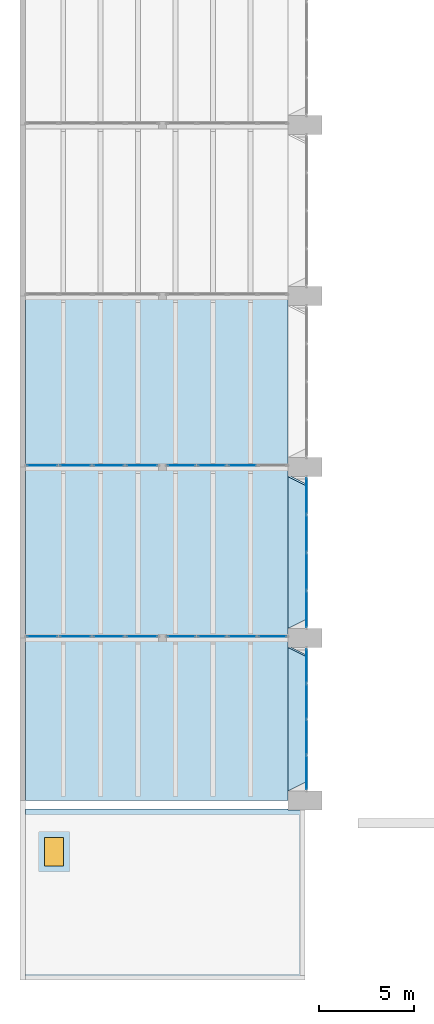
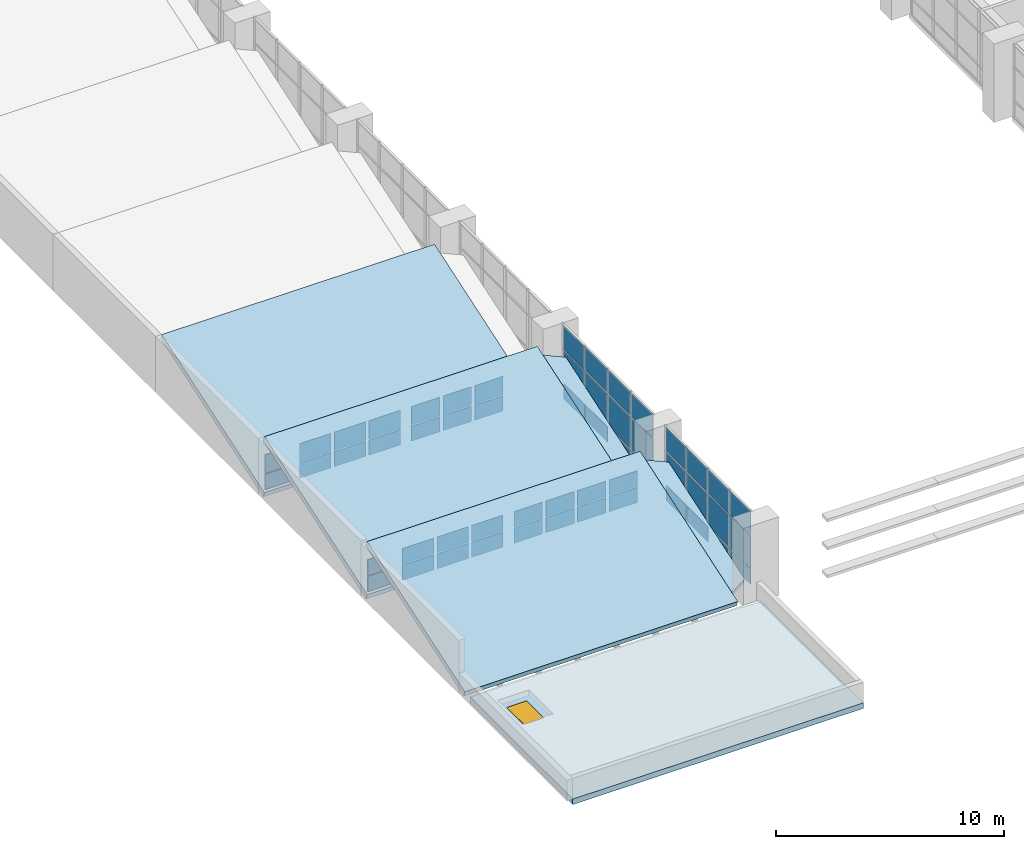
# One storey, part 22 of 43: 54 plates, 6 slabs, 1 door, 1 opening, 17 elements without a shape of their own.
"""IFC4 building model written with IfcOpenShell, lengths in metres."""

from ifc_helpers import new_model, si_unit, direction, frame, origin, origin_2d, place, context, subcontext, project, spatial, polyline, rectangle, outline, extrude, material, layer, layer_set, type_object, element, fill, aggregate, save


model = new_model("IFC4")

# Units and contexts
model_context = context("Model", 3, precision=1e-05, world=origin(), true_north=direction((0.0, 1.0)))
body_context = subcontext(model_context, "Body", "Model", "MODEL_VIEW")
ifc_project = project(units=[si_unit("LENGTHUNIT", "METRE"), si_unit("AREAUNIT", "SQUARE_METRE"), si_unit("VOLUMEUNIT", "CUBIC_METRE"), si_unit("PLANEANGLEUNIT", "RADIAN"), si_unit("MASSUNIT", "GRAM", prefix="KILO")], contexts=[model_context])

# Site, building, storey
site_placement = place(None, origin())
site = spatial("IfcSite", under=ifc_project, at=site_placement, CompositionType="ELEMENT")
building_placement = place(site_placement, origin())
building = spatial("IfcBuilding", under=site, at=building_placement, Name="Elmora Arch Market Hall", CompositionType="ELEMENT")
storey_placement = place(building_placement, frame((0.0, 0.0, 10.199951171875)))
storey = spatial("IfcBuildingStorey", under=building, at=storey_placement, Name="L02", CompositionType="ELEMENT", Elevation=10.199951171875)

# Curtain wall, plates
ifc_material_1 = material(Name="Aluminium", Category="aluminium")
curtain_wall_type_1 = type_object("IfcCurtainWallType", Name="Hall front curtain wall", PredefinedType="NOTDEFINED", material=ifc_material_1)
curtain_wall_1_placement = place(storey_placement, origin())
curtain_wall_1 = element("IfcCurtainWall", 1, at=curtain_wall_1_placement, inside=storey, type_object=curtain_wall_type_1, Name="Hall west glazing L02 1", PredefinedType="NOTDEFINED")
ifc_material_2 = material(Name="Glass", Category="glass")
ifc_layer_1 = layer(ifc_material_2, 0.028076171875)
ifc_layer_set_1 = layer_set([ifc_layer_1], Name="Glass")
plate_type = type_object("IfcPlateType", Name="Glass panel 28", PredefinedType="CURTAIN_PANEL", material=ifc_layer_set_1)
plate_1_placement = place(storey_placement, frame((15.090087890625, 28.913818359375, 0.226806640625), z_axis=(0.0, 0.0, 1.0), x_axis=(0.0, 1.0, 0.0)))
plate_1 = element("IfcPlate", 2, at=plate_1_placement, type_object=plate_type, Name="CW2 panel 1.1", PredefinedType="CURTAIN_PANEL", context=body_context, shape_type="SweptSolid", body=[
    extrude(rectangle(XDim=1.767578125, YDim=0.028076171875, at=origin_2d()), origin(), (0.0, 0.0, 1.0), 0.81005859375),
])
plate_2_placement = place(storey_placement, frame((15.090087890625, 28.913818359375, 1.0966796875), z_axis=(0.0, 0.0, 1.0), x_axis=(0.0, 1.0, 0.0)))
plate_2 = element("IfcPlate", 3, at=plate_2_placement, type_object=plate_type, Name="CW2 panel 1.2", PredefinedType="CURTAIN_PANEL", context=body_context, shape_type="SweptSolid", body=[
    extrude(rectangle(XDim=1.767578125, YDim=0.028076171875, at=origin_2d()), origin(), (0.0, 0.0, 1.0), 1.739990234375),
])
plate_3_placement = place(storey_placement, frame((15.090087890625, 28.913818359375, 2.896484375), z_axis=(0.0, 0.0, 1.0), x_axis=(0.0, 1.0, 0.0)))
plate_3 = element("IfcPlate", 4, at=plate_3_placement, type_object=plate_type, Name="CW2 panel 1.3", PredefinedType="CURTAIN_PANEL", context=body_context, shape_type="SweptSolid", body=[
    extrude(rectangle(XDim=1.767578125, YDim=0.028076171875, at=origin_2d()), origin(), (0.0, 0.0, 1.0), 1.243408203125),
])
plate_4_placement = place(storey_placement, frame((15.090087890625, 30.78125, 0.226806640625), z_axis=(0.0, 0.0, 1.0), x_axis=(0.0, 1.0, 0.0)))
plate_4 = element("IfcPlate", 5, at=plate_4_placement, type_object=plate_type, Name="CW2 panel 2.1", PredefinedType="CURTAIN_PANEL", context=body_context, shape_type="SweptSolid", body=[
    extrude(rectangle(XDim=1.8076171875, YDim=0.028076171875, at=origin_2d()), origin(), (0.0, 0.0, 1.0), 0.81005859375),
])
plate_5_placement = place(storey_placement, frame((15.090087890625, 30.78125, 1.0966796875), z_axis=(0.0, 0.0, 1.0), x_axis=(0.0, 1.0, 0.0)))
plate_5 = element("IfcPlate", 6, at=plate_5_placement, type_object=plate_type, Name="CW2 panel 2.2", PredefinedType="CURTAIN_PANEL", context=body_context, shape_type="SweptSolid", body=[
    extrude(rectangle(XDim=1.8076171875, YDim=0.028076171875, at=origin_2d()), origin(), (0.0, 0.0, 1.0), 1.739990234375),
])
plate_6_placement = place(storey_placement, frame((15.090087890625, 30.78125, 2.896484375), z_axis=(0.0, 0.0, 1.0), x_axis=(0.0, 1.0, 0.0)))
plate_6 = element("IfcPlate", 7, at=plate_6_placement, type_object=plate_type, Name="CW2 panel 2.3", PredefinedType="CURTAIN_PANEL", context=body_context, shape_type="SweptSolid", body=[
    extrude(rectangle(XDim=1.8076171875, YDim=0.028076171875, at=origin_2d()), origin(), (0.0, 0.0, 1.0), 1.243408203125),
])
plate_7_placement = place(storey_placement, frame((15.090087890625, 32.668701171875, 0.226806640625), z_axis=(0.0, 0.0, 1.0), x_axis=(0.0, 1.0, 0.0)))
plate_7 = element("IfcPlate", 8, at=plate_7_placement, type_object=plate_type, Name="CW2 panel 3.1", PredefinedType="CURTAIN_PANEL", context=body_context, shape_type="SweptSolid", body=[
    extrude(rectangle(XDim=1.8076171875, YDim=0.028076171875, at=origin_2d()), origin(), (0.0, 0.0, 1.0), 0.81005859375),
])
plate_8_placement = place(storey_placement, frame((15.090087890625, 32.668701171875, 1.0966796875), z_axis=(0.0, 0.0, 1.0), x_axis=(0.0, 1.0, 0.0)))
plate_8 = element("IfcPlate", 9, at=plate_8_placement, type_object=plate_type, Name="CW2 panel 3.2", PredefinedType="CURTAIN_PANEL", context=body_context, shape_type="SweptSolid", body=[
    extrude(rectangle(XDim=1.8076171875, YDim=0.028076171875, at=origin_2d()), origin(), (0.0, 0.0, 1.0), 1.739990234375),
])
plate_9_placement = place(storey_placement, frame((15.090087890625, 32.668701171875, 2.896484375), z_axis=(0.0, 0.0, 1.0), x_axis=(0.0, 1.0, 0.0)))
plate_9 = element("IfcPlate", 10, at=plate_9_placement, type_object=plate_type, Name="CW2 panel 3.3", PredefinedType="CURTAIN_PANEL", context=body_context, shape_type="SweptSolid", body=[
    extrude(rectangle(XDim=1.8076171875, YDim=0.028076171875, at=origin_2d()), origin(), (0.0, 0.0, 1.0), 1.243408203125),
])
plate_10_placement = place(storey_placement, frame((15.090087890625, 34.5361328125, 0.226806640625), z_axis=(0.0, 0.0, 1.0), x_axis=(0.0, 1.0, 0.0)))
plate_10 = element("IfcPlate", 11, at=plate_10_placement, type_object=plate_type, Name="CW2 panel 4.1", PredefinedType="CURTAIN_PANEL", context=body_context, shape_type="SweptSolid", body=[
    extrude(rectangle(XDim=1.767578125, YDim=0.028076171875, at=origin_2d()), origin(), (0.0, 0.0, 1.0), 0.81005859375),
])
plate_11_placement = place(storey_placement, frame((15.090087890625, 34.5361328125, 1.0966796875), z_axis=(0.0, 0.0, 1.0), x_axis=(0.0, 1.0, 0.0)))
plate_11 = element("IfcPlate", 12, at=plate_11_placement, type_object=plate_type, Name="CW2 panel 4.2", PredefinedType="CURTAIN_PANEL", context=body_context, shape_type="SweptSolid", body=[
    extrude(rectangle(XDim=1.767578125, YDim=0.028076171875, at=origin_2d()), origin(), (0.0, 0.0, 1.0), 1.739990234375),
])
plate_12_placement = place(storey_placement, frame((15.090087890625, 34.5361328125, 2.896484375), z_axis=(0.0, 0.0, 1.0), x_axis=(0.0, 1.0, 0.0)))
plate_12 = element("IfcPlate", 13, at=plate_12_placement, type_object=plate_type, Name="CW2 panel 4.3", PredefinedType="CURTAIN_PANEL", context=body_context, shape_type="SweptSolid", body=[
    extrude(rectangle(XDim=1.767578125, YDim=0.028076171875, at=origin_2d()), origin(), (0.0, 0.0, 1.0), 1.243408203125),
])
aggregate(curtain_wall_1, [plate_1, plate_2, plate_3, plate_4, plate_5, plate_6, plate_7, plate_8, plate_9, plate_10, plate_11, plate_12])

curtain_wall_2_placement = place(storey_placement, origin())
curtain_wall_2 = element("IfcCurtainWall", 14, at=curtain_wall_2_placement, inside=storey, type_object=curtain_wall_type_1, Name="Hall west glazing L02 2", PredefinedType="NOTDEFINED")
plate_13_placement = place(storey_placement, frame((15.090087890625, 37.52001953125, 0.226806640625), z_axis=(0.0, 0.0, 1.0), x_axis=(0.0, 1.0, 0.0)))
plate_13 = element("IfcPlate", 15, at=plate_13_placement, type_object=plate_type, Name="CW2 panel 1.1", PredefinedType="CURTAIN_PANEL", context=body_context, shape_type="SweptSolid", body=[
    extrude(rectangle(XDim=1.8798828125, YDim=0.028076171875, at=origin_2d()), origin(), (0.0, 0.0, 1.0), 0.81005859375),
])
plate_14_placement = place(storey_placement, frame((15.090087890625, 37.52001953125, 1.0966796875), z_axis=(0.0, 0.0, 1.0), x_axis=(0.0, 1.0, 0.0)))
plate_14 = element("IfcPlate", 16, at=plate_14_placement, type_object=plate_type, Name="CW2 panel 1.2", PredefinedType="CURTAIN_PANEL", context=body_context, shape_type="SweptSolid", body=[
    extrude(rectangle(XDim=1.8798828125, YDim=0.028076171875, at=origin_2d()), origin(), (0.0, 0.0, 1.0), 1.739990234375),
])
plate_15_placement = place(storey_placement, frame((15.090087890625, 37.52001953125, 2.896484375), z_axis=(0.0, 0.0, 1.0), x_axis=(0.0, 1.0, 0.0)))
plate_15 = element("IfcPlate", 17, at=plate_15_placement, type_object=plate_type, Name="CW2 panel 1.3", PredefinedType="CURTAIN_PANEL", context=body_context, shape_type="SweptSolid", body=[
    extrude(rectangle(XDim=1.8798828125, YDim=0.028076171875, at=origin_2d()), origin(), (0.0, 0.0, 1.0), 1.243408203125),
])
plate_16_placement = place(storey_placement, frame((15.090087890625, 39.5, 0.226806640625), z_axis=(0.0, 0.0, 1.0), x_axis=(0.0, 1.0, 0.0)))
plate_16 = element("IfcPlate", 18, at=plate_16_placement, type_object=plate_type, Name="CW2 panel 2.1", PredefinedType="CURTAIN_PANEL", context=body_context, shape_type="SweptSolid", body=[
    extrude(rectangle(XDim=1.919921875, YDim=0.028076171875, at=origin_2d()), origin(), (0.0, 0.0, 1.0), 0.81005859375),
])
plate_17_placement = place(storey_placement, frame((15.090087890625, 39.5, 1.0966796875), z_axis=(0.0, 0.0, 1.0), x_axis=(0.0, 1.0, 0.0)))
plate_17 = element("IfcPlate", 19, at=plate_17_placement, type_object=plate_type, Name="CW2 panel 2.2", PredefinedType="CURTAIN_PANEL", context=body_context, shape_type="SweptSolid", body=[
    extrude(rectangle(XDim=1.919921875, YDim=0.028076171875, at=origin_2d()), origin(), (0.0, 0.0, 1.0), 1.739990234375),
])
plate_18_placement = place(storey_placement, frame((15.090087890625, 39.5, 2.896484375), z_axis=(0.0, 0.0, 1.0), x_axis=(0.0, 1.0, 0.0)))
plate_18 = element("IfcPlate", 20, at=plate_18_placement, type_object=plate_type, Name="CW2 panel 2.3", PredefinedType="CURTAIN_PANEL", context=body_context, shape_type="SweptSolid", body=[
    extrude(rectangle(XDim=1.919921875, YDim=0.028076171875, at=origin_2d()), origin(), (0.0, 0.0, 1.0), 1.243408203125),
])
plate_19_placement = place(storey_placement, frame((15.090087890625, 41.5, 0.226806640625), z_axis=(0.0, 0.0, 1.0), x_axis=(0.0, 1.0, 0.0)))
plate_19 = element("IfcPlate", 21, at=plate_19_placement, type_object=plate_type, Name="CW2 panel 3.1", PredefinedType="CURTAIN_PANEL", context=body_context, shape_type="SweptSolid", body=[
    extrude(rectangle(XDim=1.919921875, YDim=0.028076171875, at=origin_2d()), origin(), (0.0, 0.0, 1.0), 0.81005859375),
])
plate_20_placement = place(storey_placement, frame((15.090087890625, 41.5, 1.0966796875), z_axis=(0.0, 0.0, 1.0), x_axis=(0.0, 1.0, 0.0)))
plate_20 = element("IfcPlate", 22, at=plate_20_placement, type_object=plate_type, Name="CW2 panel 3.2", PredefinedType="CURTAIN_PANEL", context=body_context, shape_type="SweptSolid", body=[
    extrude(rectangle(XDim=1.919921875, YDim=0.028076171875, at=origin_2d()), origin(), (0.0, 0.0, 1.0), 1.739990234375),
])
plate_21_placement = place(storey_placement, frame((15.090087890625, 41.5, 2.896484375), z_axis=(0.0, 0.0, 1.0), x_axis=(0.0, 1.0, 0.0)))
plate_21 = element("IfcPlate", 23, at=plate_21_placement, type_object=plate_type, Name="CW2 panel 3.3", PredefinedType="CURTAIN_PANEL", context=body_context, shape_type="SweptSolid", body=[
    extrude(rectangle(XDim=1.919921875, YDim=0.028076171875, at=origin_2d()), origin(), (0.0, 0.0, 1.0), 1.243408203125),
])
plate_22_placement = place(storey_placement, frame((15.090087890625, 43.47998046875, 0.226806640625), z_axis=(0.0, 0.0, 1.0), x_axis=(0.0, 1.0, 0.0)))
plate_22 = element("IfcPlate", 24, at=plate_22_placement, type_object=plate_type, Name="CW2 panel 4.1", PredefinedType="CURTAIN_PANEL", context=body_context, shape_type="SweptSolid", body=[
    extrude(rectangle(XDim=1.8798828125, YDim=0.028076171875, at=origin_2d()), origin(), (0.0, 0.0, 1.0), 0.81005859375),
])
plate_23_placement = place(storey_placement, frame((15.090087890625, 43.47998046875, 1.0966796875), z_axis=(0.0, 0.0, 1.0), x_axis=(0.0, 1.0, 0.0)))
plate_23 = element("IfcPlate", 25, at=plate_23_placement, type_object=plate_type, Name="CW2 panel 4.2", PredefinedType="CURTAIN_PANEL", context=body_context, shape_type="SweptSolid", body=[
    extrude(rectangle(XDim=1.8798828125, YDim=0.028076171875, at=origin_2d()), origin(), (0.0, 0.0, 1.0), 1.739990234375),
])
plate_24_placement = place(storey_placement, frame((15.090087890625, 43.47998046875, 2.896484375), z_axis=(0.0, 0.0, 1.0), x_axis=(0.0, 1.0, 0.0)))
plate_24 = element("IfcPlate", 26, at=plate_24_placement, type_object=plate_type, Name="CW2 panel 4.3", PredefinedType="CURTAIN_PANEL", context=body_context, shape_type="SweptSolid", body=[
    extrude(rectangle(XDim=1.8798828125, YDim=0.028076171875, at=origin_2d()), origin(), (0.0, 0.0, 1.0), 1.243408203125),
])
aggregate(curtain_wall_2, [plate_13, plate_14, plate_15, plate_16, plate_17, plate_18, plate_19, plate_20, plate_21, plate_22, plate_23, plate_24])

ifc_material_3 = material(Name="Aluminium", Category="aluminium")
curtain_wall_type_2 = type_object("IfcCurtainWallType", Name="Sawtooth glazing curtain wall", PredefinedType="NOTDEFINED", material=ifc_material_3)
curtain_wall_3_placement = place(storey_placement, origin())
curtain_wall_3 = element("IfcCurtainWall", 27, at=curtain_wall_3_placement, inside=storey, type_object=curtain_wall_type_2, Name="Sawtooth riser 1 part 1.1", PredefinedType="NOTDEFINED")
plate_25_placement = place(storey_placement, frame((1.175048828125, 36.090087890625, 0.090087890625), z_axis=(0.0, 0.0, 1.0), x_axis=(1.0, 0.0, 0.0)))
plate_25 = element("IfcPlate", 28, at=plate_25_placement, type_object=plate_type, Name="CW7 panel 1.1", PredefinedType="CURTAIN_PANEL", context=body_context, shape_type="SweptSolid", body=[
    extrude(rectangle(XDim=1.590087890625, YDim=0.028076171875, at=origin_2d()), origin(), (0.0, 0.0, 1.0), 0.81005859375),
])
plate_26_placement = place(storey_placement, frame((1.175048828125, 36.090087890625, 0.9599609375), z_axis=(0.0, 0.0, 1.0), x_axis=(1.0, 0.0, 0.0)))
plate_26 = element("IfcPlate", 29, at=plate_26_placement, type_object=plate_type, Name="CW7 panel 1.2", PredefinedType="CURTAIN_PANEL", context=body_context, shape_type="SweptSolid", body=[
    extrude(rectangle(XDim=1.590087890625, YDim=0.028076171875, at=origin_2d()), origin(), (0.0, 0.0, 1.0), 0.830078125),
])
aggregate(curtain_wall_3, [plate_25, plate_26])

curtain_wall_4_placement = place(storey_placement, origin())
curtain_wall_4 = element("IfcCurtainWall", 30, at=curtain_wall_4_placement, inside=storey, type_object=curtain_wall_type_2, Name="Sawtooth riser 1 part 1.2", PredefinedType="NOTDEFINED")
plate_27_placement = place(storey_placement, frame((2.925048828125, 36.090087890625, 0.090087890625), z_axis=(0.0, 0.0, 1.0), x_axis=(1.0, 0.0, 0.0)))
plate_27 = element("IfcPlate", 31, at=plate_27_placement, type_object=plate_type, Name="CW7 panel 1.1", PredefinedType="CURTAIN_PANEL", context=body_context, shape_type="SweptSolid", body=[
    extrude(rectangle(XDim=1.590087890625, YDim=0.028076171875, at=origin_2d()), origin(), (0.0, 0.0, 1.0), 0.81005859375),
])
plate_28_placement = place(storey_placement, frame((2.925048828125, 36.090087890625, 0.9599609375), z_axis=(0.0, 0.0, 1.0), x_axis=(1.0, 0.0, 0.0)))
plate_28 = element("IfcPlate", 32, at=plate_28_placement, type_object=plate_type, Name="CW7 panel 1.2", PredefinedType="CURTAIN_PANEL", context=body_context, shape_type="SweptSolid", body=[
    extrude(rectangle(XDim=1.590087890625, YDim=0.028076171875, at=origin_2d()), origin(), (0.0, 0.0, 1.0), 0.830078125),
])
aggregate(curtain_wall_4, [plate_27, plate_28])

curtain_wall_5_placement = place(storey_placement, origin())
curtain_wall_5 = element("IfcCurtainWall", 33, at=curtain_wall_5_placement, inside=storey, type_object=curtain_wall_type_2, Name="Sawtooth riser 1 part 1.3", PredefinedType="NOTDEFINED")
plate_29_placement = place(storey_placement, frame((4.675048828125, 36.090087890625, 0.090087890625), z_axis=(0.0, 0.0, 1.0), x_axis=(1.0, 0.0, 0.0)))
plate_29 = element("IfcPlate", 34, at=plate_29_placement, type_object=plate_type, Name="CW7 panel 1.1", PredefinedType="CURTAIN_PANEL", context=body_context, shape_type="SweptSolid", body=[
    extrude(rectangle(XDim=1.590087890625, YDim=0.028076171875, at=origin_2d()), origin(), (0.0, 0.0, 1.0), 0.81005859375),
])
plate_30_placement = place(storey_placement, frame((4.675048828125, 36.090087890625, 0.9599609375), z_axis=(0.0, 0.0, 1.0), x_axis=(1.0, 0.0, 0.0)))
plate_30 = element("IfcPlate", 35, at=plate_30_placement, type_object=plate_type, Name="CW7 panel 1.2", PredefinedType="CURTAIN_PANEL", context=body_context, shape_type="SweptSolid", body=[
    extrude(rectangle(XDim=1.590087890625, YDim=0.028076171875, at=origin_2d()), origin(), (0.0, 0.0, 1.0), 0.830078125),
])
aggregate(curtain_wall_5, [plate_29, plate_30])

curtain_wall_6_placement = place(storey_placement, origin())
curtain_wall_6 = element("IfcCurtainWall", 36, at=curtain_wall_6_placement, inside=storey, type_object=curtain_wall_type_2, Name="Sawtooth riser 1 part 1.4", PredefinedType="NOTDEFINED")
plate_31_placement = place(storey_placement, frame((6.425048828125, 36.090087890625, 0.090087890625), z_axis=(0.0, 0.0, 1.0), x_axis=(1.0, 0.0, 0.0)))
plate_31 = element("IfcPlate", 37, at=plate_31_placement, type_object=plate_type, Name="CW7 panel 1.1", PredefinedType="CURTAIN_PANEL", context=body_context, shape_type="SweptSolid", body=[
    extrude(rectangle(XDim=1.590087890625, YDim=0.028076171875, at=origin_2d()), origin(), (0.0, 0.0, 1.0), 0.81005859375),
])
plate_32_placement = place(storey_placement, frame((6.425048828125, 36.090087890625, 0.9599609375), z_axis=(0.0, 0.0, 1.0), x_axis=(1.0, 0.0, 0.0)))
plate_32 = element("IfcPlate", 38, at=plate_32_placement, type_object=plate_type, Name="CW7 panel 1.2", PredefinedType="CURTAIN_PANEL", context=body_context, shape_type="SweptSolid", body=[
    extrude(rectangle(XDim=1.590087890625, YDim=0.028076171875, at=origin_2d()), origin(), (0.0, 0.0, 1.0), 0.830078125),
])
aggregate(curtain_wall_6, [plate_31, plate_32])

curtain_wall_7_placement = place(storey_placement, origin())
curtain_wall_7 = element("IfcCurtainWall", 39, at=curtain_wall_7_placement, inside=storey, type_object=curtain_wall_type_2, Name="Sawtooth riser 1 part 2.1", PredefinedType="NOTDEFINED")
plate_33_placement = place(storey_placement, frame((8.5, 36.090087890625, 0.090087890625), z_axis=(0.0, 0.0, 1.0), x_axis=(1.0, 0.0, 0.0)))
plate_33 = element("IfcPlate", 40, at=plate_33_placement, type_object=plate_type, Name="CW7 panel 1.1", PredefinedType="CURTAIN_PANEL", context=body_context, shape_type="SweptSolid", body=[
    extrude(rectangle(XDim=1.43994140625, YDim=0.028076171875, at=origin_2d()), origin(), (0.0, 0.0, 1.0), 0.81005859375),
])
plate_34_placement = place(storey_placement, frame((8.5, 36.090087890625, 0.9599609375), z_axis=(0.0, 0.0, 1.0), x_axis=(1.0, 0.0, 0.0)))
plate_34 = element("IfcPlate", 41, at=plate_34_placement, type_object=plate_type, Name="CW7 panel 1.2", PredefinedType="CURTAIN_PANEL", context=body_context, shape_type="SweptSolid", body=[
    extrude(rectangle(XDim=1.43994140625, YDim=0.028076171875, at=origin_2d()), origin(), (0.0, 0.0, 1.0), 0.830078125),
])
aggregate(curtain_wall_7, [plate_33, plate_34])

curtain_wall_8_placement = place(storey_placement, origin())
curtain_wall_8 = element("IfcCurtainWall", 42, at=curtain_wall_8_placement, inside=storey, type_object=curtain_wall_type_2, Name="Sawtooth riser 1 part 2.2", PredefinedType="NOTDEFINED")
plate_35_placement = place(storey_placement, frame((10.10009765625, 36.090087890625, 0.090087890625), z_axis=(0.0, 0.0, 1.0), x_axis=(1.0, 0.0, 0.0)))
plate_35 = element("IfcPlate", 43, at=plate_35_placement, type_object=plate_type, Name="CW7 panel 1.1", PredefinedType="CURTAIN_PANEL", context=body_context, shape_type="SweptSolid", body=[
    extrude(rectangle(XDim=1.43994140625, YDim=0.028076171875, at=origin_2d()), origin(), (0.0, 0.0, 1.0), 0.81005859375),
])
plate_36_placement = place(storey_placement, frame((10.10009765625, 36.090087890625, 0.9599609375), z_axis=(0.0, 0.0, 1.0), x_axis=(1.0, 0.0, 0.0)))
plate_36 = element("IfcPlate", 44, at=plate_36_placement, type_object=plate_type, Name="CW7 panel 1.2", PredefinedType="CURTAIN_PANEL", context=body_context, shape_type="SweptSolid", body=[
    extrude(rectangle(XDim=1.43994140625, YDim=0.028076171875, at=origin_2d()), origin(), (0.0, 0.0, 1.0), 0.830078125),
])
aggregate(curtain_wall_8, [plate_35, plate_36])

curtain_wall_9_placement = place(storey_placement, origin())
curtain_wall_9 = element("IfcCurtainWall", 45, at=curtain_wall_9_placement, inside=storey, type_object=curtain_wall_type_2, Name="Sawtooth riser 1 part 2.3", PredefinedType="NOTDEFINED")
plate_37_placement = place(storey_placement, frame((11.699951171875, 36.090087890625, 0.090087890625), z_axis=(0.0, 0.0, 1.0), x_axis=(1.0, 0.0, 0.0)))
plate_37 = element("IfcPlate", 46, at=plate_37_placement, type_object=plate_type, Name="CW7 panel 1.1", PredefinedType="CURTAIN_PANEL", context=body_context, shape_type="SweptSolid", body=[
    extrude(rectangle(XDim=1.43994140625, YDim=0.028076171875, at=origin_2d()), origin(), (0.0, 0.0, 1.0), 0.81005859375),
])
plate_38_placement = place(storey_placement, frame((11.699951171875, 36.090087890625, 0.9599609375), z_axis=(0.0, 0.0, 1.0), x_axis=(1.0, 0.0, 0.0)))
plate_38 = element("IfcPlate", 47, at=plate_38_placement, type_object=plate_type, Name="CW7 panel 1.2", PredefinedType="CURTAIN_PANEL", context=body_context, shape_type="SweptSolid", body=[
    extrude(rectangle(XDim=1.43994140625, YDim=0.028076171875, at=origin_2d()), origin(), (0.0, 0.0, 1.0), 0.830078125),
])
aggregate(curtain_wall_9, [plate_37, plate_38])

curtain_wall_10_placement = place(storey_placement, origin())
curtain_wall_10 = element("IfcCurtainWall", 48, at=curtain_wall_10_placement, inside=storey, type_object=curtain_wall_type_2, Name="Sawtooth riser 1 part 2.4", PredefinedType="NOTDEFINED")
plate_39_placement = place(storey_placement, frame((13.300048828125, 36.090087890625, 0.090087890625), z_axis=(0.0, 0.0, 1.0), x_axis=(1.0, 0.0, 0.0)))
plate_39 = element("IfcPlate", 49, at=plate_39_placement, type_object=plate_type, Name="CW7 panel 1.1", PredefinedType="CURTAIN_PANEL", context=body_context, shape_type="SweptSolid", body=[
    extrude(rectangle(XDim=1.43994140625, YDim=0.028076171875, at=origin_2d()), origin(), (0.0, 0.0, 1.0), 0.81005859375),
])
plate_40_placement = place(storey_placement, frame((13.300048828125, 36.090087890625, 0.9599609375), z_axis=(0.0, 0.0, 1.0), x_axis=(1.0, 0.0, 0.0)))
plate_40 = element("IfcPlate", 50, at=plate_40_placement, type_object=plate_type, Name="CW7 panel 1.2", PredefinedType="CURTAIN_PANEL", context=body_context, shape_type="SweptSolid", body=[
    extrude(rectangle(XDim=1.43994140625, YDim=0.028076171875, at=origin_2d()), origin(), (0.0, 0.0, 1.0), 0.830078125),
])
aggregate(curtain_wall_10, [plate_39, plate_40])

curtain_wall_11_placement = place(storey_placement, origin())
curtain_wall_11 = element("IfcCurtainWall", 51, at=curtain_wall_11_placement, inside=storey, type_object=curtain_wall_type_2, Name="Sawtooth riser 2 part 1.1", PredefinedType="NOTDEFINED")
plate_41_placement = place(storey_placement, frame((1.175048828125, 45.090087890625, 0.090087890625), z_axis=(0.0, 0.0, 1.0), x_axis=(1.0, 0.0, 0.0)))
plate_41 = element("IfcPlate", 52, at=plate_41_placement, type_object=plate_type, Name="CW7 panel 1.1", PredefinedType="CURTAIN_PANEL", context=body_context, shape_type="SweptSolid", body=[
    extrude(rectangle(XDim=1.590087890625, YDim=0.028076171875, at=origin_2d()), origin(), (0.0, 0.0, 1.0), 0.81005859375),
])
plate_42_placement = place(storey_placement, frame((1.175048828125, 45.090087890625, 0.9599609375), z_axis=(0.0, 0.0, 1.0), x_axis=(1.0, 0.0, 0.0)))
plate_42 = element("IfcPlate", 53, at=plate_42_placement, type_object=plate_type, Name="CW7 panel 1.2", PredefinedType="CURTAIN_PANEL", context=body_context, shape_type="SweptSolid", body=[
    extrude(rectangle(XDim=1.590087890625, YDim=0.028076171875, at=origin_2d()), origin(), (0.0, 0.0, 1.0), 0.97998046875),
])
aggregate(curtain_wall_11, [plate_41, plate_42])

curtain_wall_12_placement = place(storey_placement, origin())
curtain_wall_12 = element("IfcCurtainWall", 54, at=curtain_wall_12_placement, inside=storey, type_object=curtain_wall_type_2, Name="Sawtooth riser 2 part 1.2", PredefinedType="NOTDEFINED")
plate_43_placement = place(storey_placement, frame((2.925048828125, 45.090087890625, 0.090087890625), z_axis=(0.0, 0.0, 1.0), x_axis=(1.0, 0.0, 0.0)))
plate_43 = element("IfcPlate", 55, at=plate_43_placement, type_object=plate_type, Name="CW7 panel 1.1", PredefinedType="CURTAIN_PANEL", context=body_context, shape_type="SweptSolid", body=[
    extrude(rectangle(XDim=1.590087890625, YDim=0.028076171875, at=origin_2d()), origin(), (0.0, 0.0, 1.0), 0.81005859375),
])
plate_44_placement = place(storey_placement, frame((2.925048828125, 45.090087890625, 0.9599609375), z_axis=(0.0, 0.0, 1.0), x_axis=(1.0, 0.0, 0.0)))
plate_44 = element("IfcPlate", 56, at=plate_44_placement, type_object=plate_type, Name="CW7 panel 1.2", PredefinedType="CURTAIN_PANEL", context=body_context, shape_type="SweptSolid", body=[
    extrude(rectangle(XDim=1.590087890625, YDim=0.028076171875, at=origin_2d()), origin(), (0.0, 0.0, 1.0), 0.97998046875),
])
aggregate(curtain_wall_12, [plate_43, plate_44])

curtain_wall_13_placement = place(storey_placement, origin())
curtain_wall_13 = element("IfcCurtainWall", 57, at=curtain_wall_13_placement, inside=storey, type_object=curtain_wall_type_2, Name="Sawtooth riser 2 part 1.3", PredefinedType="NOTDEFINED")
plate_45_placement = place(storey_placement, frame((4.675048828125, 45.090087890625, 0.090087890625), z_axis=(0.0, 0.0, 1.0), x_axis=(1.0, 0.0, 0.0)))
plate_45 = element("IfcPlate", 58, at=plate_45_placement, type_object=plate_type, Name="CW7 panel 1.1", PredefinedType="CURTAIN_PANEL", context=body_context, shape_type="SweptSolid", body=[
    extrude(rectangle(XDim=1.590087890625, YDim=0.028076171875, at=origin_2d()), origin(), (0.0, 0.0, 1.0), 0.81005859375),
])
plate_46_placement = place(storey_placement, frame((4.675048828125, 45.090087890625, 0.9599609375), z_axis=(0.0, 0.0, 1.0), x_axis=(1.0, 0.0, 0.0)))
plate_46 = element("IfcPlate", 59, at=plate_46_placement, type_object=plate_type, Name="CW7 panel 1.2", PredefinedType="CURTAIN_PANEL", context=body_context, shape_type="SweptSolid", body=[
    extrude(rectangle(XDim=1.590087890625, YDim=0.028076171875, at=origin_2d()), origin(), (0.0, 0.0, 1.0), 0.97998046875),
])
aggregate(curtain_wall_13, [plate_45, plate_46])

curtain_wall_14_placement = place(storey_placement, origin())
curtain_wall_14 = element("IfcCurtainWall", 60, at=curtain_wall_14_placement, inside=storey, type_object=curtain_wall_type_2, Name="Sawtooth riser 2 part 1.4", PredefinedType="NOTDEFINED")
plate_47_placement = place(storey_placement, frame((6.425048828125, 45.090087890625, 0.090087890625), z_axis=(0.0, 0.0, 1.0), x_axis=(1.0, 0.0, 0.0)))
plate_47 = element("IfcPlate", 61, at=plate_47_placement, type_object=plate_type, Name="CW7 panel 1.1", PredefinedType="CURTAIN_PANEL", context=body_context, shape_type="SweptSolid", body=[
    extrude(rectangle(XDim=1.590087890625, YDim=0.028076171875, at=origin_2d()), origin(), (0.0, 0.0, 1.0), 0.81005859375),
])
plate_48_placement = place(storey_placement, frame((6.425048828125, 45.090087890625, 0.9599609375), z_axis=(0.0, 0.0, 1.0), x_axis=(1.0, 0.0, 0.0)))
plate_48 = element("IfcPlate", 62, at=plate_48_placement, type_object=plate_type, Name="CW7 panel 1.2", PredefinedType="CURTAIN_PANEL", context=body_context, shape_type="SweptSolid", body=[
    extrude(rectangle(XDim=1.590087890625, YDim=0.028076171875, at=origin_2d()), origin(), (0.0, 0.0, 1.0), 0.97998046875),
])
aggregate(curtain_wall_14, [plate_47, plate_48])

curtain_wall_15_placement = place(storey_placement, origin())
curtain_wall_15 = element("IfcCurtainWall", 63, at=curtain_wall_15_placement, inside=storey, type_object=curtain_wall_type_2, Name="Sawtooth riser 2 part 2.1", PredefinedType="NOTDEFINED")
plate_49_placement = place(storey_placement, frame((8.5, 45.090087890625, 0.090087890625), z_axis=(0.0, 0.0, 1.0), x_axis=(1.0, 0.0, 0.0)))
plate_49 = element("IfcPlate", 64, at=plate_49_placement, type_object=plate_type, Name="CW7 panel 1.1", PredefinedType="CURTAIN_PANEL", context=body_context, shape_type="SweptSolid", body=[
    extrude(rectangle(XDim=1.43994140625, YDim=0.028076171875, at=origin_2d()), origin(), (0.0, 0.0, 1.0), 0.81005859375),
])
plate_50_placement = place(storey_placement, frame((8.5, 45.090087890625, 0.9599609375), z_axis=(0.0, 0.0, 1.0), x_axis=(1.0, 0.0, 0.0)))
plate_50 = element("IfcPlate", 65, at=plate_50_placement, type_object=plate_type, Name="CW7 panel 1.2", PredefinedType="CURTAIN_PANEL", context=body_context, shape_type="SweptSolid", body=[
    extrude(rectangle(XDim=1.43994140625, YDim=0.028076171875, at=origin_2d()), origin(), (0.0, 0.0, 1.0), 0.97998046875),
])
aggregate(curtain_wall_15, [plate_49, plate_50])

curtain_wall_16_placement = place(storey_placement, origin())
curtain_wall_16 = element("IfcCurtainWall", 66, at=curtain_wall_16_placement, inside=storey, type_object=curtain_wall_type_2, Name="Sawtooth riser 2 part 2.2", PredefinedType="NOTDEFINED")
plate_51_placement = place(storey_placement, frame((10.10009765625, 45.090087890625, 0.090087890625), z_axis=(0.0, 0.0, 1.0), x_axis=(1.0, 0.0, 0.0)))
plate_51 = element("IfcPlate", 67, at=plate_51_placement, type_object=plate_type, Name="CW7 panel 1.1", PredefinedType="CURTAIN_PANEL", context=body_context, shape_type="SweptSolid", body=[
    extrude(rectangle(XDim=1.43994140625, YDim=0.028076171875, at=origin_2d()), origin(), (0.0, 0.0, 1.0), 0.81005859375),
])
plate_52_placement = place(storey_placement, frame((10.10009765625, 45.090087890625, 0.9599609375), z_axis=(0.0, 0.0, 1.0), x_axis=(1.0, 0.0, 0.0)))
plate_52 = element("IfcPlate", 68, at=plate_52_placement, type_object=plate_type, Name="CW7 panel 1.2", PredefinedType="CURTAIN_PANEL", context=body_context, shape_type="SweptSolid", body=[
    extrude(rectangle(XDim=1.43994140625, YDim=0.028076171875, at=origin_2d()), origin(), (0.0, 0.0, 1.0), 0.97998046875),
])
aggregate(curtain_wall_16, [plate_51, plate_52])

curtain_wall_17_placement = place(storey_placement, origin())
curtain_wall_17 = element("IfcCurtainWall", 69, at=curtain_wall_17_placement, inside=storey, type_object=curtain_wall_type_2, Name="Sawtooth riser 2 part 2.3", PredefinedType="NOTDEFINED")
plate_53_placement = place(storey_placement, frame((11.699951171875, 45.090087890625, 0.090087890625), z_axis=(0.0, 0.0, 1.0), x_axis=(1.0, 0.0, 0.0)))
plate_53 = element("IfcPlate", 70, at=plate_53_placement, type_object=plate_type, Name="CW7 panel 1.1", PredefinedType="CURTAIN_PANEL", context=body_context, shape_type="SweptSolid", body=[
    extrude(rectangle(XDim=1.43994140625, YDim=0.028076171875, at=origin_2d()), origin(), (0.0, 0.0, 1.0), 0.81005859375),
])
plate_54_placement = place(storey_placement, frame((11.699951171875, 45.090087890625, 0.9599609375), z_axis=(0.0, 0.0, 1.0), x_axis=(1.0, 0.0, 0.0)))
plate_54 = element("IfcPlate", 71, at=plate_54_placement, type_object=plate_type, Name="CW7 panel 1.2", PredefinedType="CURTAIN_PANEL", context=body_context, shape_type="SweptSolid", body=[
    extrude(rectangle(XDim=1.43994140625, YDim=0.028076171875, at=origin_2d()), origin(), (0.0, 0.0, 1.0), 0.97998046875),
])
aggregate(curtain_wall_17, [plate_53, plate_54])

# Slab, opening, door
ifc_material_4 = material(Name="Concrete C32/40", Category="concrete")
ifc_layer_2 = layer(ifc_material_4, 0.300048828125)
ifc_layer_set_2 = layer_set([ifc_layer_2], Name="Concrete C32/40")
slab_type = type_object("IfcSlabType", Name="Roof slab 300", PredefinedType="ROOF", material=ifc_layer_set_2)
slab_1_placement = place(storey_placement, frame((0.0, 0.0, -0.300048828125)))
slab_1 = element("IfcSlab", 72, at=slab_1_placement, inside=storey, type_object=slab_type, Name="Roof slab PLANTED SW", PredefinedType="ROOF", context=body_context, shape_type="SweptSolid", body=[
    extrude(outline(polyline([(15.0, 18.0), (0.301025390625, 18.0), (0.301025390625, 27.0), (14.09912109375, 27.0), (14.09912109375, 26.948974609375), (15.0, 26.948974609375), (15.0, 18.0)]), holes=[polyline([(1.299072265625, 23.9990234375), (2.301025390625, 23.9990234375), (2.301025390625, 25.5009765625), (1.299072265625, 25.5009765625), (1.299072265625, 23.9990234375)])]), origin(), (0.0, 0.0, 1.0), 0.300048828125),
])
opening_placement = place(slab_1_placement, frame((1.800048828125, 24.75, 0.0)))
opening = element("IfcOpeningElement", 73, at=opening_placement, cuts=slab_1, Name="Opening H-ST-WS", PredefinedType="OPENING", context=body_context, shape_type="SweptSolid", body=[
    extrude(rectangle(XDim=1.0, YDim=1.5, at=origin_2d()), origin(), (0.0, 0.0, 1.0), 0.300048828125),
])
ifc_material_5 = material(Name="Steel ASTM A653 galvanised", Category="steel")
door_type = type_object("IfcDoorType", Name="Roof hatch 1000x1500", OperationType="SINGLE_SWING_LEFT", PredefinedType="TRAPDOOR", material=ifc_material_5)
door_placement = place(opening_placement, frame((0.0, 0.0, 0.25)))
door = element("IfcDoor", 74, at=door_placement, inside=storey, type_object=door_type, Name="Roof hatch ST-WS", OperationType="SINGLE_SWING_LEFT", OverallHeight=1.5, OverallWidth=1.0, PredefinedType="TRAPDOOR", context=body_context, shape_type="SweptSolid", body=[
    extrude(rectangle(XDim=1.0, YDim=1.5, at=origin_2d()), origin(), (0.0, 0.0, 1.0), 0.050048828125),
])
fill(opening, door)

# Slabs
slab_2_placement = place(storey_placement, frame((0.300048828125, 27.449951171875, 0.0), z_axis=(0.0, -0.316235892677, 0.948680589125), x_axis=(1.0, 0.0, 0.0)))
element("IfcSlab", 75, at=slab_2_placement, inside=storey, type_object=slab_type, Name="Sawtooth roof slab 1", PredefinedType="ROOF", context=body_context, shape_type="SweptSolid", body=[
    extrude(outline(polyline([(0.0, 0.0), (13.800048828125, 0.0), (13.800048828125, 9.012568535854994), (0.0, 9.012568535854994), (0.0, 0.0)])), origin(), (0.0, 0.0, -1.0), 0.300048828125),
])
slab_3_placement = place(storey_placement, frame((14.10009765625, 27.949951171875, 0.166748046875), z_axis=(0.0, -0.316227766017, 0.948683298051), x_axis=(0.884662171752, 0.442307085274, 0.147435695091)))
element("IfcSlab", 76, at=slab_3_placement, inside=storey, type_object=slab_type, Name="Sawtooth roof slab 1E", PredefinedType="ROOF", context=body_context, shape_type="SweptSolid", body=[
    extrude(outline(polyline([(0.0, 0.0), (1.0172271093810408, -4.163336342344337e-17), (4.28546900567546, 6.201389485429885), (3.710476991483393, 7.040517113192824), (0.0, 0.0)])), origin(), (0.0, 0.0, -1.0), 0.300048828125),
])
slab_4_placement = place(storey_placement, frame((0.300048828125, 36.0, 0.0), z_axis=(0.0, -0.316227766017, 0.948683298051), x_axis=(1.0, 0.0, 0.0)))
element("IfcSlab", 77, at=slab_4_placement, inside=storey, type_object=slab_type, Name="Sawtooth roof slab 2", PredefinedType="ROOF", context=body_context, shape_type="SweptSolid", body=[
    extrude(outline(polyline([(0.0, 0.0), (13.800048828125, 0.0), (13.800048828125, 9.486832980505136), (0.0, 9.486832980505136), (0.0, 0.0)])), origin(), (0.0, 0.0, -1.0), 0.300048828125),
])
slab_5_placement = place(storey_placement, frame((14.10009765625, 36.5, 0.166748046875), z_axis=(0.0, -0.316218562901, 0.948686365706), x_axis=(0.884662171457, 0.442308516046, 0.147431404475)))
element("IfcSlab", 78, at=slab_5_placement, inside=storey, type_object=slab_type, Name="Sawtooth roof slab 2E", PredefinedType="ROOF", context=body_context, shape_type="SweptSolid", body=[
    extrude(outline(polyline([(0.0, 0.0), (1.0172271097198213, 1.3877787807814457e-17), (4.50658655762858, 6.620953296794749), (3.9315945443055718, 7.460080925563873), (0.0, 0.0)])), origin(), (0.0, 0.0, -1.0), 0.300048828125),
])
slab_6_placement = place(storey_placement, frame((0.300048828125, 45.0, 0.0), z_axis=(0.0, -0.316227766017, 0.948683298051), x_axis=(1.0, 0.0, 0.0)))
element("IfcSlab", 79, at=slab_6_placement, inside=storey, type_object=slab_type, Name="Sawtooth roof slab 3", PredefinedType="ROOF", context=body_context, shape_type="SweptSolid", body=[
    extrude(outline(polyline([(0.0, 0.0), (13.800048828125, 0.0), (13.800048828125, 9.486832980505136), (0.0, 9.486832980505136), (0.0, 0.0)])), origin(), (0.0, 0.0, -1.0), 0.300048828125),
])

save(model, "model.ifc")
